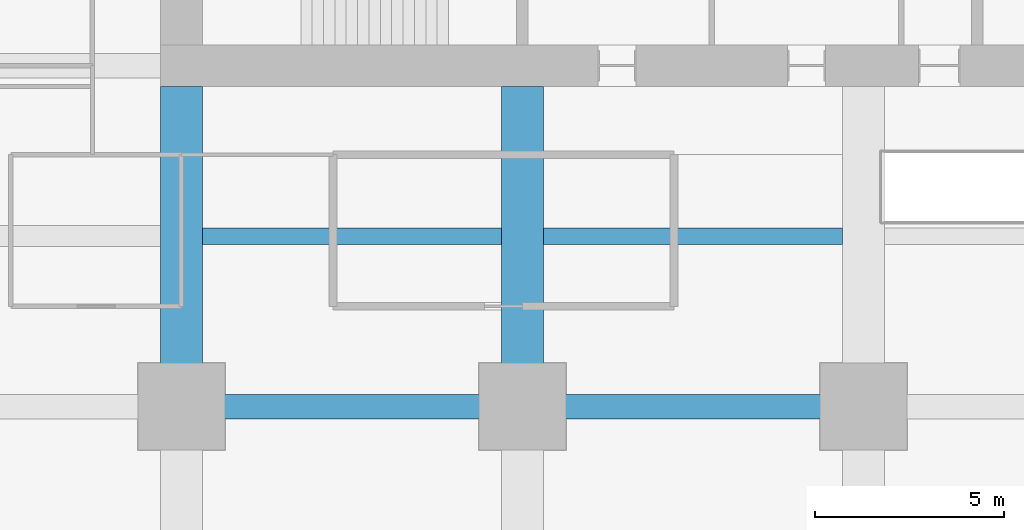
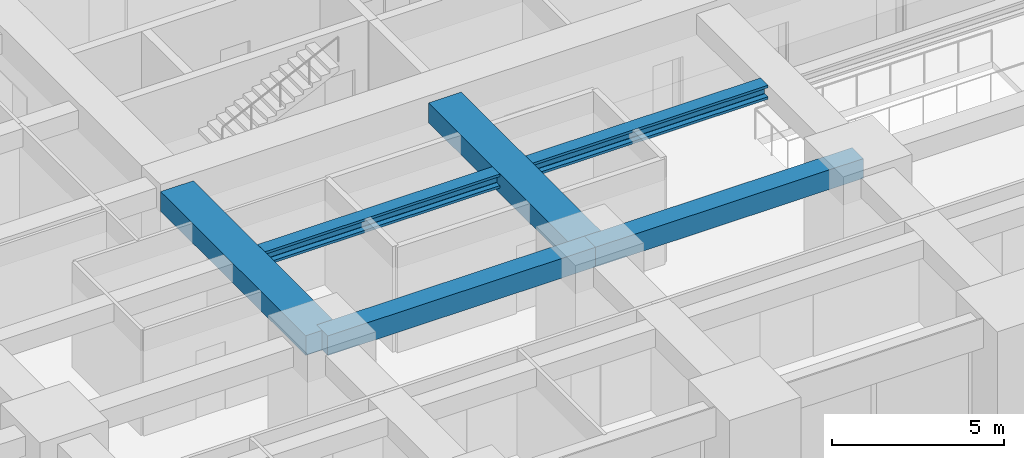
# One storey, part 8 of 45: 6 beams.
"""IFC4 building model written with IfcOpenShell, lengths in metres."""

import ifcopenshell
import ifcopenshell.guid

model = None  # the IFC model being written
_history = None  # IfcOwnerHistory: only IFC2X3 demands one
_inside = {}  # id of a spatial element -> (the spatial element, [elements in it])
_under = {}  # id of a project, library or spatial element -> (it, [spatial elements below it])
_declared = {}  # id of a project -> (the project, [libraries it declares])
_typed = {}  # id of a type object -> (the type object, [elements of that type])
_made_of = {}  # id of a material, layer set ... -> (it, [elements and type objects made of it])


def new_model(schema):
    """Start an empty IFC model of exactly this schema.

    Asked for "IFC4X3", IfcOpenShell would pick the latest addendum, in which some entities
    have other attributes; the version numbers below select the first issue.
    IFC2X3 requires an IfcOwnerHistory on every rooted entity: one is made here for all.
    """
    global model, _history
    if schema == "IFC4X3":
        model = ifcopenshell.file(schema_version=(4, 3, 0, 0))
    else:
        model = ifcopenshell.file(schema=schema)
    _inside.clear()
    _under.clear()
    _declared.clear()
    _typed.clear()
    _made_of.clear()
    _history = None
    if model.schema == "IFC2X3":
        org = make("IfcOrganization", Name="unknown")
        user = make(
            "IfcPersonAndOrganization",
            ThePerson=make("IfcPerson", FamilyName="unknown"),
            TheOrganization=org,
        )
        app = make(
            "IfcApplication",
            ApplicationDeveloper=org,
            Version="unknown",
            ApplicationFullName="unknown",
            ApplicationIdentifier="unknown",
        )
        _history = make(
            "IfcOwnerHistory",
            OwningUser=user,
            OwningApplication=app,
            ChangeAction="ADDED",
            CreationDate=0,
        )
    return model


def make(cls, **values):
    """One entity of the class cls with the attributes given. An attribute that is None is left unset."""
    return model.create_entity(
        cls, **{name: value for name, value in values.items() if value is not None}
    )


def rooted(cls, **values):
    """An entity with a GlobalId (a new one), such as an element, a storey or a relation."""
    return make(cls, GlobalId=ifcopenshell.guid.new(), OwnerHistory=_history, **values)


def si_unit(unit_type, name, prefix=None):
    """IfcSIUnit, for example si_unit("LENGTHUNIT", "METRE", prefix="MILLI")."""
    return make("IfcSIUnit", UnitType=unit_type, Prefix=prefix, Name=name)


def assignment(units):
    """IfcUnitAssignment: the units of a project."""
    return None if units is None else make("IfcUnitAssignment", Units=units)


def point(xyz):
    """IfcCartesianPoint."""
    return None if xyz is None else make("IfcCartesianPoint", Coordinates=xyz)


def direction(xyz):
    """IfcDirection."""
    return None if xyz is None else make("IfcDirection", DirectionRatios=xyz)


def frame(location, z_axis=None, x_axis=None):
    """IfcAxis2Placement3D, a coordinate frame: its origin and axes. An axis left out is left unset."""
    return make(
        "IfcAxis2Placement3D",
        Location=point(location),
        Axis=direction(z_axis),
        RefDirection=direction(x_axis),
    )


def frame_2d(location, x_axis=None):
    """IfcAxis2Placement2D, a coordinate frame in the plane: its origin and x axis."""
    return make(
        "IfcAxis2Placement2D", Location=point(location), RefDirection=direction(x_axis)
    )


def origin():
    """The frame at (0, 0, 0) with its axes left unset."""
    return frame((0.0, 0.0, 0.0))


def origin_2d():
    """The frame at (0, 0) in the plane with its x axis left unset."""
    return frame_2d((0.0, 0.0))


def place(relative_to, where):
    """IfcLocalPlacement: puts the frame where relative to a parent placement (None: the world)."""
    return make(
        "IfcLocalPlacement", PlacementRelTo=relative_to, RelativePlacement=where
    )


def context(
    kind, dimensions, precision=None, world=None, true_north=None, identifier=None
):
    """IfcGeometricRepresentationContext, for example the 3D "Model" context."""
    return make(
        "IfcGeometricRepresentationContext",
        ContextIdentifier=identifier,
        ContextType=kind,
        CoordinateSpaceDimension=dimensions,
        Precision=precision,
        WorldCoordinateSystem=world,
        TrueNorth=true_north,
    )


def subcontext(parent, identifier, kind, view, scale=None):
    """IfcGeometricRepresentationSubContext, for example "Body" below "Model"."""
    return make(
        "IfcGeometricRepresentationSubContext",
        ContextIdentifier=identifier,
        ContextType=kind,
        ParentContext=parent,
        TargetScale=scale,
        TargetView=view,
    )


def project(units=None, contexts=None):
    """IfcProject with its units and contexts."""
    return rooted(
        "IfcProject",
        Name="project",
        RepresentationContexts=contexts,
        UnitsInContext=assignment(units),
    )


def spatial(cls, under=None, at=None, **own):
    """A site, building, storey or space (cls), placed at a placement, below another one or the project."""
    s = rooted(cls, ObjectPlacement=at, **own)
    if under is not None:
        _under.setdefault(under.id(), (under, []))[1].append(s)
    return s


def profile(cls, at=None, kind="AREA", **sizes):
    """A parametric profile (cls). Its sizes go by their IFC names, for example OverallWidth=200.0."""
    return make(cls, ProfileType=kind, Position=at, **sizes)


def rectangle(**sizes):
    """IfcRectangleProfileDef."""
    return profile("IfcRectangleProfileDef", **sizes)


def i_section(**sizes):
    """IfcIShapeProfileDef."""
    return profile("IfcIShapeProfileDef", **sizes)


def extrude(swept, where, along, depth):
    """IfcExtrudedAreaSolid: the profile swept, set in the frame where, extruded along a direction by depth."""
    return make(
        "IfcExtrudedAreaSolid",
        SweptArea=swept,
        Position=where,
        ExtrudedDirection=direction(along),
        Depth=depth,
    )


def shape(context_of_items, identifier, shape_type, items):
    """IfcShapeRepresentation: the items that make up one representation, for example the "Body"."""
    return make(
        "IfcShapeRepresentation",
        ContextOfItems=context_of_items,
        RepresentationIdentifier=identifier,
        RepresentationType=shape_type,
        Items=items,
    )


def material(Name=None, Category=None):
    """IfcMaterial."""
    return make("IfcMaterial", Name=Name, Category=Category)


def material_profile(
    of_material, cross_section, Name=None, Category=None, Priority=None
):
    """IfcMaterialProfile: a cross section and its material."""
    return make(
        "IfcMaterialProfile",
        Name=Name,
        Material=of_material,
        Profile=cross_section,
        Priority=Priority,
        Category=Category,
    )


def profile_set(profiles, Name=None, composite=None):
    """IfcMaterialProfileSet."""
    return make(
        "IfcMaterialProfileSet",
        Name=Name,
        MaterialProfiles=profiles,
        CompositeProfile=composite,
    )


def made_of(thing, what):
    """Note that an element or type object is made of a material, layer set ...; save() writes the relation."""
    if what is not None:
        _made_of.setdefault(what.id(), (what, []))[1].append(thing)
    return thing


def type_object(cls, material=None, **own):
    """A type object (cls), such as IfcWallType, which elements share."""
    return made_of(rooted(cls, **own), material)


def element(
    cls,
    number,
    at=None,
    inside=None,
    cuts=None,
    type_object=None,
    material=None,
    context=None,
    identifier="Body",
    shape_type=None,
    held_by="IfcProductDefinitionShape",
    body=None,
    shapes=None,
    **own,
):
    """One element of the class cls, such as IfcWall. Its Tag is "e" and its number.

    at: its placement. inside: the storey or other place that contains it. cuts: it is an
    opening in that element (IfcRelVoidsElement). A single representation is given by context,
    identifier, shape_type and body (its items); several are given by shapes. held_by: the class
    of the entity that holds the representations. save() writes the other relations.
    """
    e = rooted(cls, Tag="e%d" % number, ObjectPlacement=at, **own)
    if body is not None:
        shapes = [shape(context, identifier, shape_type, body)]
    if shapes is not None:
        e.Representation = make(held_by, Representations=shapes)
    if inside is not None:
        _inside.setdefault(inside.id(), (inside, []))[1].append(e)
    if cuts is not None:
        rooted(
            "IfcRelVoidsElement", RelatingBuildingElement=cuts, RelatedOpeningElement=e
        )
    if type_object is not None:
        _typed.setdefault(type_object.id(), (type_object, []))[1].append(e)
    return made_of(e, material)


def aggregate(whole, parts):
    """IfcRelAggregates: a whole, such as a stair, and the parts it consists of."""
    return rooted("IfcRelAggregates", RelatingObject=whole, RelatedObjects=parts)


def save(model, path):
    """Write the relations noted so far, then the file.

    IfcRelAggregates (storeys below a building ...), IfcRelContainedInSpatialStructure (elements
    in a storey), IfcRelDefinesByType, IfcRelAssociatesMaterial and IfcRelDeclares: one each for
    every whole, place, type object, material and project.
    """
    for whole, parts in _under.values():
        aggregate(whole, parts)
    for where, things in _inside.values():
        rooted(
            "IfcRelContainedInSpatialStructure",
            RelatedElements=things,
            RelatingStructure=where,
        )
    for kind, things in _typed.values():
        rooted("IfcRelDefinesByType", RelatedObjects=things, RelatingType=kind)
    for what, things in _made_of.values():
        rooted("IfcRelAssociatesMaterial", RelatedObjects=things, RelatingMaterial=what)
    for by, libraries in _declared.values():
        rooted("IfcRelDeclares", RelatingContext=by, RelatedDefinitions=libraries)
    model.write(path)


model = new_model("IFC4")

# Units and contexts
model_context = context("Model", 3, precision=1e-05, world=origin(), true_north=direction((0.0, 1.0)))
body_context = subcontext(model_context, "Body", "Model", "MODEL_VIEW")
ifc_project = project(units=[si_unit("LENGTHUNIT", "METRE"), si_unit("AREAUNIT", "SQUARE_METRE"), si_unit("VOLUMEUNIT", "CUBIC_METRE"), si_unit("PLANEANGLEUNIT", "RADIAN"), si_unit("MASSUNIT", "GRAM", prefix="KILO")], contexts=[model_context])

# Site, building, storey
site_placement = place(None, origin())
site = spatial("IfcSite", under=ifc_project, at=site_placement, CompositionType="ELEMENT")
building_placement = place(site_placement, origin())
building = spatial("IfcBuilding", under=site, at=building_placement, Name="Zorevar Civic Tower", CompositionType="ELEMENT")
storey_placement = place(building_placement, frame((0.0, 0.0, 27.800048828125)))
storey = spatial("IfcBuildingStorey", under=building, at=storey_placement, Name="L06", CompositionType="ELEMENT", Elevation=27.800048828125)

# Beams
ifc_material_1 = material(Name="Concrete C50/60", Category="concrete")
ifc_material_profile_1 = material_profile(ifc_material_1, rectangle(XDim=1.10009765625, YDim=0.699951171875, at=origin_2d()), Name="RC 1100x700")
ifc_profile_set_1 = profile_set([ifc_material_profile_1], Name="Concrete C50/60")
beam_type_1 = type_object("IfcBeamType", Name="Beam RC 1100x700", PredefinedType="BEAM", material=ifc_profile_set_1)
for number, where, z_axis, x_axis, name in (
    (1, (18.0, 9.0, 3.39990234375), (0.0, 1.0, 0.0), (-1.0, 0.0, 0.0), "Girder L07"),
    (2, (27.0, 9.0, 3.39990234375), (0.0, 1.0, 0.0), (-1.0, 0.0, 0.0), "Girder L07"),
):
    element("IfcBeam", number, at=place(storey_placement, frame(where, z_axis=z_axis, x_axis=x_axis)), inside=storey, type_object=beam_type_1, Name=name, PredefinedType="BEAM", context=body_context, shape_type="SweptSolid", body=[
        extrude(rectangle(XDim=1.10009765625, YDim=0.699951171875, at=origin_2d()), origin(), (0.0, 0.0, 1.0), 8.449951171875),
    ])
ifc_material_2 = material(Name="Concrete C50/60", Category="concrete")
ifc_material_profile_2 = material_profile(ifc_material_2, rectangle(XDim=0.64990234375, YDim=0.699951171875, at=origin_2d()), Name="RC 650x700")
ifc_profile_set_2 = profile_set([ifc_material_profile_2], Name="Concrete C50/60")
beam_type_2 = type_object("IfcBeamType", Name="Beam RC 650x700", PredefinedType="BEAM", material=ifc_profile_set_2)
for number, where, z_axis, x_axis, name in (
    (3, (18.0, 9.0, 3.39990234375), (1.0, 0.0, 0.0), (0.0, 1.0, 0.0), "Girder L07"),
    (4, (27.0, 9.0, 3.39990234375), (1.0, 0.0, 0.0), (0.0, 1.0, 0.0), "Girder L07"),
):
    element("IfcBeam", number, at=place(storey_placement, frame(where, z_axis=z_axis, x_axis=x_axis)), inside=storey, type_object=beam_type_2, Name=name, PredefinedType="BEAM", context=body_context, shape_type="SweptSolid", body=[
        extrude(rectangle(XDim=0.64990234375, YDim=0.699951171875, at=origin_2d()), origin(), (0.0, 0.0, 1.0), 9.0),
    ])
ifc_material_3 = material(Name="Steel S460M (HISTAR 460)", Category="steel")
ifc_material_profile_3 = material_profile(ifc_material_3, i_section(OverallWidth=0.431884765625, OverallDepth=0.498046875, WebThickness=0.0556640625, FlangeThickness=0.0888671875, FilletRadius=0.014892578125, at=origin_2d()), Name="HD 400x744")
ifc_profile_set_3 = profile_set([ifc_material_profile_3], Name="Steel S460M (HISTAR 460)")
beam_type_3 = type_object("IfcBeamType", Name="Core bay beam HD 400x744", PredefinedType="BEAM", material=ifc_profile_set_3)
for number, where, z_axis, x_axis, name in (
    (5, (18.550048828125, 13.5, 3.5009765625), (1.0, 0.0, 0.0), (0.0, 1.0, 0.0), "Secondary beam L07"),
    (6, (27.550048828125, 13.5, 3.5009765625), (1.0, 0.0, 0.0), (0.0, 1.0, 0.0), "Secondary beam L07"),
):
    element("IfcBeam", number, at=place(storey_placement, frame(where, z_axis=z_axis, x_axis=x_axis)), inside=storey, type_object=beam_type_3, Name=name, PredefinedType="BEAM", context=body_context, shape_type="SweptSolid", body=[
        extrude(i_section(OverallWidth=0.431884765625, OverallDepth=0.498046875, WebThickness=0.0556640625, FlangeThickness=0.0888671875, FilletRadius=0.014892578125, at=origin_2d()), origin(), (0.0, 0.0, 1.0), 7.89990234375),
    ])

save(model, "model.ifc")
